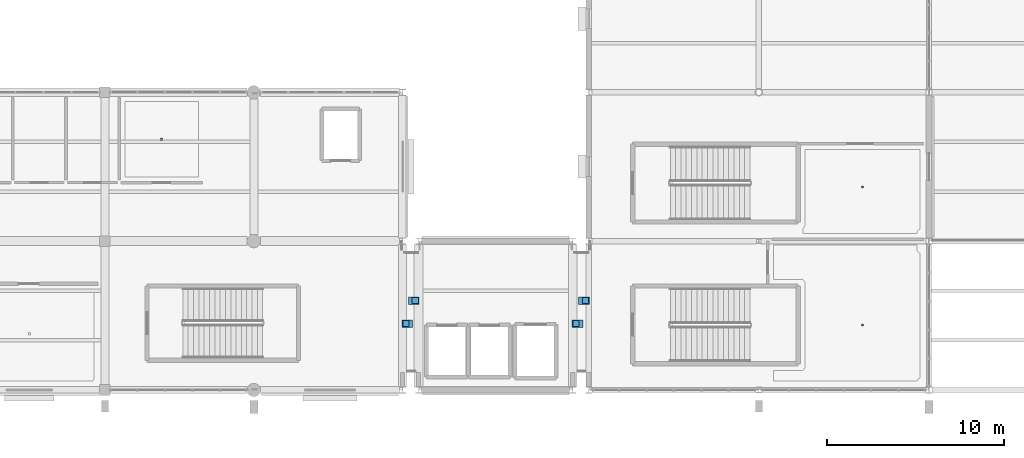
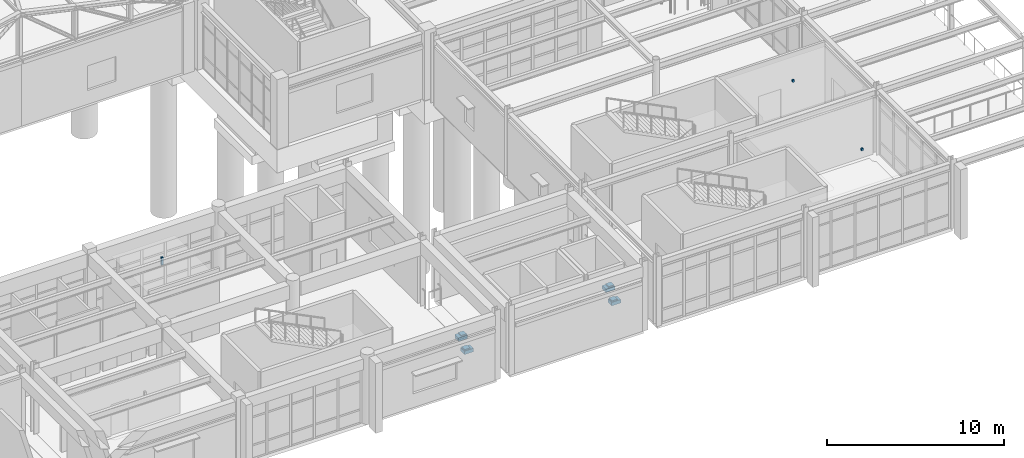
# One storey, part 118 of 139: 11 discrete accessories.
"""IFC4 building model written with IfcOpenShell, lengths in metres."""

from ifc_helpers import new_model, si_unit, direction, frame, origin, origin_2d, place, context, subcontext, project, spatial, rectangle, extrude, material, layer, layer_set, type_object, element, save


model = new_model("IFC4")

# Units and contexts
model_context = context("Model", 3, precision=1e-05, world=origin(), true_north=direction((0.0, 1.0)))
body_context = subcontext(model_context, "Body", "Model", "MODEL_VIEW")
ifc_project = project(units=[si_unit("LENGTHUNIT", "METRE"), si_unit("AREAUNIT", "SQUARE_METRE"), si_unit("VOLUMEUNIT", "CUBIC_METRE"), si_unit("PLANEANGLEUNIT", "RADIAN"), si_unit("MASSUNIT", "GRAM", prefix="KILO")], contexts=[model_context])

# Site, building, storey
site_placement = place(None, origin())
site = spatial("IfcSite", under=ifc_project, at=site_placement, CompositionType="ELEMENT")
building_placement = place(site_placement, origin())
building = spatial("IfcBuilding", under=site, at=building_placement, Name="Canglan Escarpment Cableway Terminal", CompositionType="ELEMENT")
storey_placement = place(building_placement, frame((0.0, 0.0, 14.39990234375)))
storey = spatial("IfcBuildingStorey", under=building, at=storey_placement, Name="L03", CompositionType="ELEMENT", Elevation=14.39990234375)

# Discrete accessories
ifc_material_1 = material(Name="Steel Q355B", Category="steel")
ifc_layer_1 = layer(ifc_material_1, 0.159912109375, Name="Steel Q355B")
ifc_layer_set_1 = layer_set([ifc_layer_1], Name="Steel Q355B")
discrete_accessory_type_1 = type_object("IfcDiscreteAccessoryType", Name="ACC-BRACKET-01", PredefinedType="BRACKET", material=ifc_layer_set_1)
discrete_accessory_placement = place(storey_placement, frame((123.10009765625, 22.14990234375, 3.990234375), z_axis=(0.0, 0.0, 1.0), x_axis=(1.0, 0.0, 0.0)))
element("IfcDiscreteAccessory", 1, at=discrete_accessory_placement, inside=storey, type_object=discrete_accessory_type_1, Name="Suspended ceiling hanger bracket BK-01", PredefinedType="BRACKET", context=body_context, shape_type="SweptSolid", body=[
    extrude(rectangle(XDim=0.1201171875, YDim=0.1201171875, at=origin_2d()), origin(), (0.0, 0.0, 1.0), 0.530029296875),
])
for number, where, z_axis, x_axis, name in (
    (2, (162.639892578125, 19.449951171875, 4.3701171875), (0.0, 0.0, 1.0), (1.0, 0.0, 0.0), "Suspended ceiling hanger bracket BK-01"),
    (3, (162.639892578125, 11.675048828125, 4.3701171875), (0.0, 0.0, 1.0), (1.0, 0.0, 0.0), "Suspended ceiling hanger bracket BK-01"),
):
    element("IfcDiscreteAccessory", number, at=place(storey_placement, frame(where, z_axis=z_axis, x_axis=x_axis)), inside=storey, type_object=discrete_accessory_type_1, Name=name, PredefinedType="BRACKET", context=body_context, shape_type="SweptSolid", body=[
        extrude(rectangle(XDim=0.1201171875, YDim=0.1201171875, at=origin_2d()), origin(), (0.0, 0.0, 1.0), 0.14990234375),
    ])
ifc_material_2 = material(Name="Concrete C40", Category="concrete")
ifc_layer_2 = layer(ifc_material_2, 0.239990234375, Name="Concrete C40")
ifc_layer_set_2 = layer_set([ifc_layer_2], Name="Concrete C40")
discrete_accessory_type_2 = type_object("IfcDiscreteAccessoryType", Name="ACC-CORBEL-CB01", PredefinedType="BRACKET", material=ifc_layer_set_2)
for number, where, z_axis, x_axis, name in (
    (4, (136.965087890625, 11.75, -0.5400390625), (0.0, 0.0, 1.0), (1.0, 0.0, 0.0), "Concrete C40 movement-joint corbel bearing ledge CB-01"),
    (5, (137.3349609375, 13.050048828125, -0.5400390625), (0.0, 0.0, 1.0), (1.0, 0.0, 0.0), "Concrete C40 movement-joint corbel bearing ledge CB-01"),
    (6, (146.56494140625, 11.75, -0.5400390625), (0.0, 0.0, 1.0), (1.0, 0.0, 0.0), "Concrete C40 movement-joint corbel bearing ledge CB-01"),
    (7, (146.93505859375, 13.050048828125, -0.5400390625), (0.0, 0.0, 1.0), (1.0, 0.0, 0.0), "Concrete C40 movement-joint corbel bearing ledge CB-01"),
):
    element("IfcDiscreteAccessory", number, at=place(storey_placement, frame(where, z_axis=z_axis, x_axis=x_axis)), inside=storey, type_object=discrete_accessory_type_2, Name=name, PredefinedType="BRACKET", context=body_context, shape_type="SweptSolid", body=[
        extrude(rectangle(XDim=0.60009765625, YDim=0.419921875, at=origin_2d()), origin(), (0.0, 0.0, 1.0), 0.239990234375),
    ])
ifc_material_3 = material(Name="Stainless steel and PTFE elastomer", Category="steel")
ifc_layer_3 = layer(ifc_material_3, 0.080078125, Name="Stainless steel and PTFE elastomer")
ifc_layer_set_3 = layer_set([ifc_layer_3], Name="Stainless steel and PTFE elastomer")
discrete_accessory_type_3 = type_object("IfcDiscreteAccessoryType", Name="BRG-SLIDING-MJ01", PredefinedType="USERDEFINED", material=ifc_layer_set_3)
for number, where, z_axis, x_axis, name in (
    (8, (136.885009765625, 11.75, -0.300048828125), (0.0, 0.0, 1.0), (1.0, 0.0, 0.0), "Unguided PTFE-elastomeric sliding bearing pad MJ-01"),
    (9, (137.4150390625, 13.050048828125, -0.300048828125), (0.0, 0.0, 1.0), (1.0, 0.0, 0.0), "Unguided PTFE-elastomeric sliding bearing pad MJ-01"),
    (10, (146.485107421875, 11.75, -0.300048828125), (0.0, 0.0, 1.0), (1.0, 0.0, 0.0), "Unguided PTFE-elastomeric sliding bearing pad MJ-01"),
    (11, (147.014892578125, 13.050048828125, -0.300048828125), (0.0, 0.0, 1.0), (1.0, 0.0, 0.0), "Unguided PTFE-elastomeric sliding bearing pad MJ-01"),
):
    element("IfcDiscreteAccessory", number, at=place(storey_placement, frame(where, z_axis=z_axis, x_axis=x_axis)), inside=storey, type_object=discrete_accessory_type_3, Name=name, ObjectType="SLIDING BEARING", PredefinedType="USERDEFINED", context=body_context, shape_type="SweptSolid", body=[
        extrude(rectangle(XDim=0.35009765625, YDim=0.35009765625, at=origin_2d()), origin(), (0.0, 0.0, 1.0), 0.080078125),
    ])

save(model, "model.ifc")
